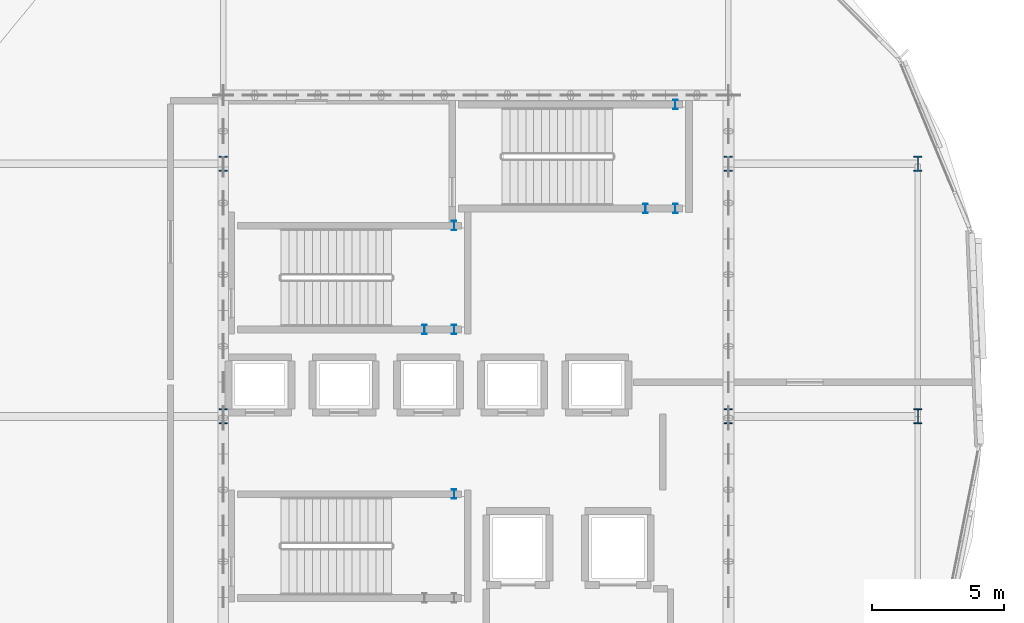
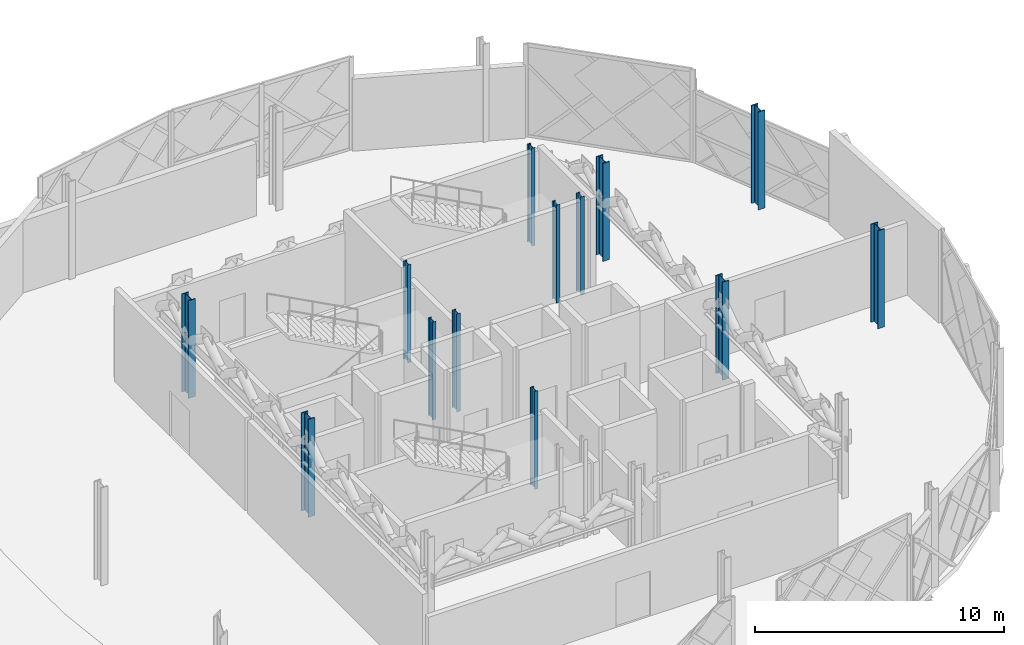
# One storey, part 15 of 77: 13 columns.
"""IFC4 building model written with IfcOpenShell, lengths in metres."""

from ifc_helpers import new_model, si_unit, direction, frame, origin, origin_2d, place, context, subcontext, project, spatial, i_section, extrude, material, material_profile, profile_set, type_object, element, save


model = new_model("IFC4")

# Units and contexts
model_context = context("Model", 3, precision=1e-05, world=origin(), true_north=direction((0.0, 1.0)))
body_context = subcontext(model_context, "Body", "Model", "MODEL_VIEW")
ifc_project = project(units=[si_unit("LENGTHUNIT", "METRE"), si_unit("AREAUNIT", "SQUARE_METRE"), si_unit("VOLUMEUNIT", "CUBIC_METRE"), si_unit("PLANEANGLEUNIT", "RADIAN"), si_unit("MASSUNIT", "GRAM", prefix="KILO")], contexts=[model_context])

# Site, building, storey
site_placement = place(None, origin())
site = spatial("IfcSite", under=ifc_project, at=site_placement, CompositionType="ELEMENT")
building_placement = place(site_placement, origin())
building = spatial("IfcBuilding", under=site, at=building_placement, Name="Zevrakil Square Congress Hotel", CompositionType="ELEMENT")
storey_placement = place(building_placement, frame((0.0, 0.0, 9.89990234375)))
storey = spatial("IfcBuildingStorey", under=building, at=storey_placement, Name="L03", CompositionType="ELEMENT", Elevation=9.89990234375)

# Columns
ifc_material_1 = material(Name="Steel S355", Category="steel")
ifc_material_profile_1 = material_profile(ifc_material_1, i_section(OverallWidth=0.305908203125, OverallDepth=0.572021484375, WebThickness=0.02099609375, FlangeThickness=0.0400390625, FilletRadius=0.027099609375, at=origin_2d()), Name="HEM 550")
ifc_profile_set_1 = profile_set([ifc_material_profile_1], Name="Steel S355")
column_type_1 = type_object("IfcColumnType", Name="COL-HEM550", PredefinedType="COLUMN", material=ifc_profile_set_1)
for number, where, z_axis, x_axis, name in (
    (1, (136.800048828125, 26.39990234375, 0.0), (0.0, 0.0, 1.0), (1.0, 0.0, 0.0), "L03 column C-207"),
    (2, (136.800048828125, 36.0, 0.0), (0.0, 0.0, 1.0), (1.0, 0.0, 0.0), "L03 column C-208"),
    (3, (156.0, 26.39990234375, 0.0), (0.0, 0.0, 1.0), (1.0, 0.0, 0.0), "L03 column C-223"),
    (4, (156.0, 36.0, 0.0), (0.0, 0.0, 1.0), (1.0, 0.0, 0.0), "L03 column C-224"),
    (5, (163.199951171875, 26.39990234375, 0.0), (0.0, 0.0, 1.0), (1.0, 0.0, 0.0), "L03 column C-231"),
    (6, (163.199951171875, 36.0, 0.0), (0.0, 0.0, 1.0), (1.0, 0.0, 0.0), "L03 column C-232"),
):
    element("IfcColumn", number, at=place(storey_placement, frame(where, z_axis=z_axis, x_axis=x_axis)), inside=storey, type_object=column_type_1, Name=name, PredefinedType="COLUMN", context=body_context, shape_type="SweptSolid", body=[
        extrude(i_section(OverallWidth=0.305908203125, OverallDepth=0.572021484375, WebThickness=0.02099609375, FlangeThickness=0.0400390625, FilletRadius=0.027099609375, at=origin_2d()), origin(), (0.0, 0.0, 1.0), 4.800048828125),
    ])
ifc_material_2 = material(Name="Steel S355", Category="steel")
ifc_material_profile_2 = material_profile(ifc_material_2, i_section(OverallWidth=0.169921875, OverallDepth=0.360107421875, WebThickness=0.008056640625, FlangeThickness=0.0126953125, FilletRadius=0.01806640625, at=origin_2d()), Name="IPE 360")
ifc_profile_set_2 = profile_set([ifc_material_profile_2], Name="Steel S355")
column_type_2 = type_object("IfcColumnType", Name="COL-PILASTER-SHS180", PredefinedType="PILASTER", material=ifc_profile_set_2)
for number, where, z_axis, x_axis, name in (
    (7, (145.580078125, 23.449951171875, 0.0), (0.0, 0.0, 1.0), (1.0, 0.0, 0.0), "L03 ST01 stair shaft post 3"),
    (8, (144.449951171875, 29.699951171875, 0.0), (0.0, 0.0, 1.0), (1.0, 0.0, 0.0), "L03 ST02 stair shaft post 1"),
    (9, (145.580078125, 29.699951171875, 0.0), (0.0, 0.0, 1.0), (1.0, 0.0, 0.0), "L03 ST02 stair shaft post 2"),
    (10, (145.580078125, 33.64990234375, 0.0), (0.0, 0.0, 1.0), (1.0, 0.0, 0.0), "L03 ST02 stair shaft post 3"),
    (11, (152.85009765625, 34.300048828125, 0.0), (0.0, 0.0, 1.0), (1.0, 0.0, 0.0), "L03 ST03 stair shaft post 1"),
    (12, (153.97998046875, 34.300048828125, 0.0), (0.0, 0.0, 1.0), (1.0, 0.0, 0.0), "L03 ST03 stair shaft post 2"),
    (13, (153.97998046875, 38.25, 0.0), (0.0, 0.0, 1.0), (1.0, 0.0, 0.0), "L03 ST03 stair shaft post 3"),
):
    element("IfcColumn", number, at=place(storey_placement, frame(where, z_axis=z_axis, x_axis=x_axis)), inside=storey, type_object=column_type_2, Name=name, PredefinedType="PILASTER", context=body_context, shape_type="SweptSolid", body=[
        extrude(i_section(OverallWidth=0.169921875, OverallDepth=0.360107421875, WebThickness=0.008056640625, FlangeThickness=0.0126953125, FilletRadius=0.01806640625, at=origin_2d()), origin(), (0.0, 0.0, 1.0), 4.800048828125),
    ])

save(model, "model.ifc")
